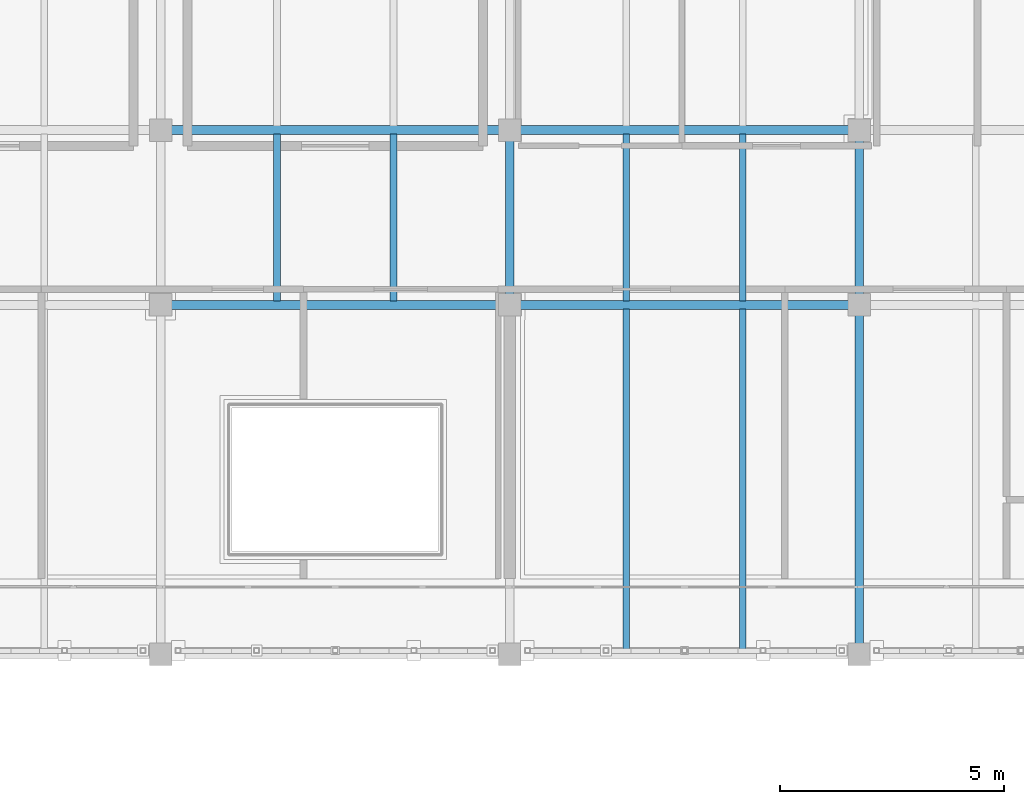
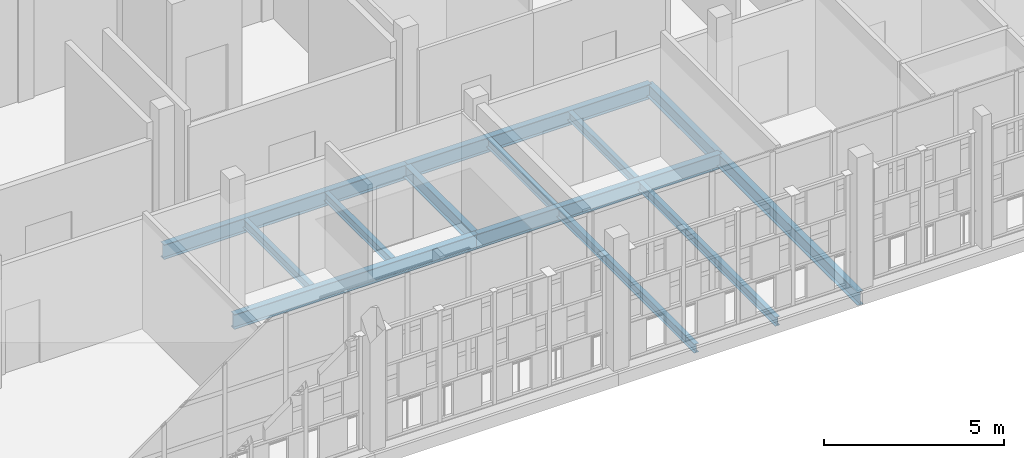
# One storey, part 36 of 89: 13 beams.
"""IFC4 building model written with IfcOpenShell, lengths in metres."""

from ifc_helpers import new_model, si_unit, direction, frame, origin, origin_2d, place, context, subcontext, project, spatial, i_section, extrude, material, material_profile, profile_set, type_object, element, save


model = new_model("IFC4")

# Units and contexts
model_context = context("Model", 3, precision=1e-05, world=origin(), true_north=direction((0.0, 1.0)))
body_context = subcontext(model_context, "Body", "Model", "MODEL_VIEW")
ifc_project = project(units=[si_unit("LENGTHUNIT", "METRE"), si_unit("AREAUNIT", "SQUARE_METRE"), si_unit("VOLUMEUNIT", "CUBIC_METRE"), si_unit("PLANEANGLEUNIT", "RADIAN"), si_unit("MASSUNIT", "GRAM", prefix="KILO")], contexts=[model_context])

# Site, building, storey
site_placement = place(None, origin())
site = spatial("IfcSite", under=ifc_project, at=site_placement, CompositionType="ELEMENT")
building_placement = place(site_placement, origin())
building = spatial("IfcBuilding", under=site, at=building_placement, Name="Celorna Specialist Clinic", CompositionType="ELEMENT")
storey_placement = place(building_placement, frame((0.0, 0.0, 14.10009765625)))
storey = spatial("IfcBuildingStorey", under=building, at=storey_placement, Name="L03", CompositionType="ELEMENT", Elevation=14.10009765625)

# Beams
ifc_material = material(Name="Steel S355", Category="steel")
ifc_material_profile_1 = material_profile(ifc_material, i_section(OverallWidth=0.199951171875, OverallDepth=0.5, WebThickness=0.01025390625, FlangeThickness=0.01611328125, at=origin_2d()), Name="IPE 500")
ifc_profile_set_1 = profile_set([ifc_material_profile_1], Name="Steel S355")
beam_type_1 = type_object("IfcBeamType", Name="BM-08", PredefinedType="BEAM", material=ifc_profile_set_1)
for number, where, z_axis, x_axis, name in (
    (1, (62.39990234375, 104.300048828125, -0.510009765625), (1.0, 0.0, 0.0), (0.0, 1.0, 0.0), "Primary girder BM-08 #1214"),
    (2, (70.199951171875, 104.300048828125, -0.510009765625), (1.0, 0.0, 0.0), (0.0, 1.0, 0.0), "Primary girder BM-08 #1215"),
    (3, (62.39990234375, 108.199951171875, -0.510009765625), (1.0, 0.0, 0.0), (0.0, 1.0, 0.0), "Primary girder BM-08 #1225"),
    (4, (70.199951171875, 108.199951171875, -0.510009765625), (1.0, 0.0, 0.0), (0.0, 1.0, 0.0), "Primary girder BM-08 #1226"),
):
    element("IfcBeam", number, at=place(storey_placement, frame(where, z_axis=z_axis, x_axis=x_axis)), inside=storey, type_object=beam_type_1, Name=name, PredefinedType="BEAM", context=body_context, shape_type="SweptSolid", body=[
        extrude(i_section(OverallWidth=0.199951171875, OverallDepth=0.5, WebThickness=0.01025390625, FlangeThickness=0.01611328125, at=origin_2d()), origin(), (0.0, 0.0, 1.0), 7.800048828125),
    ])
ifc_material_profile_2 = material_profile(ifc_material, i_section(OverallWidth=0.18994140625, OverallDepth=0.449951171875, WebThickness=0.009521484375, FlangeThickness=0.0146484375, at=origin_2d()), Name="IPE 450")
ifc_profile_set_2 = profile_set([ifc_material_profile_2], Name="Steel S355")
beam_type_2 = type_object("IfcBeamType", Name="BM-09", PredefinedType="BEAM", material=ifc_profile_set_2)
beam_1_placement = place(storey_placement, frame((70.199951171875, 104.300048828125, -0.485107421875), z_axis=(0.0, 1.0, 0.0), x_axis=(-1.0, 0.0, 0.0)))
element("IfcBeam", 5, at=beam_1_placement, inside=storey, type_object=beam_type_2, Name="Transverse girder BM-09 #1255", PredefinedType="BEAM", context=body_context, shape_type="SweptSolid", body=[
    extrude(i_section(OverallWidth=0.18994140625, OverallDepth=0.449951171875, WebThickness=0.009521484375, FlangeThickness=0.0146484375, at=origin_2d()), origin(), (0.0, 0.0, 1.0), 3.89990234375),
])
beam_2_placement = place(storey_placement, frame((78.0, 96.5, -0.485107421875), z_axis=(0.0, 1.0, 0.0), x_axis=(-1.0, 0.0, 0.0)))
element("IfcBeam", 6, at=beam_2_placement, inside=storey, type_object=beam_type_2, Name="Transverse girder BM-09 #1257", PredefinedType="BEAM", context=body_context, shape_type="SweptSolid", body=[
    extrude(i_section(OverallWidth=0.18994140625, OverallDepth=0.449951171875, WebThickness=0.009521484375, FlangeThickness=0.0146484375, at=origin_2d()), origin(), (0.0, 0.0, 1.0), 7.800048828125),
])
beam_3_placement = place(storey_placement, frame((78.0, 104.300048828125, -0.485107421875), z_axis=(0.0, 1.0, 0.0), x_axis=(-1.0, 0.0, 0.0)))
element("IfcBeam", 7, at=beam_3_placement, inside=storey, type_object=beam_type_2, Name="Transverse girder BM-09 #1258", PredefinedType="BEAM", context=body_context, shape_type="SweptSolid", body=[
    extrude(i_section(OverallWidth=0.18994140625, OverallDepth=0.449951171875, WebThickness=0.009521484375, FlangeThickness=0.0146484375, at=origin_2d()), origin(), (0.0, 0.0, 1.0), 3.89990234375),
])
ifc_material_profile_3 = material_profile(ifc_material, i_section(OverallWidth=0.14990234375, OverallDepth=0.300048828125, WebThickness=0.007080078125, FlangeThickness=0.0107421875, at=origin_2d()), Name="IPE 300")
ifc_profile_set_3 = profile_set([ifc_material_profile_3], Name="Steel S355")
beam_type_3 = type_object("IfcBeamType", Name="BM-13", PredefinedType="JOIST", material=ifc_profile_set_3)
for number, where, z_axis, x_axis, name in (
    (8, (65.0, 104.387939453125, -0.41015625), (0.0, 1.0, 0.0), (-1.0, 0.0, 0.0), "Secondary floor joist BM-13 #1291"),
    (9, (67.60009765625, 104.387939453125, -0.41015625), (0.0, 1.0, 0.0), (-1.0, 0.0, 0.0), "Secondary floor joist BM-13 #1292"),
):
    element("IfcBeam", number, at=place(storey_placement, frame(where, z_axis=z_axis, x_axis=x_axis)), inside=storey, type_object=beam_type_3, Name=name, PredefinedType="JOIST", context=body_context, shape_type="SweptSolid", body=[
        extrude(i_section(OverallWidth=0.14990234375, OverallDepth=0.300048828125, WebThickness=0.007080078125, FlangeThickness=0.0107421875, at=origin_2d()), origin(), (0.0, 0.0, 1.0), 3.72412109375),
    ])
for number, where, z_axis, x_axis, name in (
    (10, (72.800048828125, 96.587890625, -0.41015625), (0.0, 1.0, 0.0), (-1.0, 0.0, 0.0), "Secondary floor joist BM-13 #1295"),
    (11, (75.39990234375, 96.587890625, -0.41015625), (0.0, 1.0, 0.0), (-1.0, 0.0, 0.0), "Secondary floor joist BM-13 #1296"),
):
    element("IfcBeam", number, at=place(storey_placement, frame(where, z_axis=z_axis, x_axis=x_axis)), inside=storey, type_object=beam_type_3, Name=name, PredefinedType="JOIST", context=body_context, shape_type="SweptSolid", body=[
        extrude(i_section(OverallWidth=0.14990234375, OverallDepth=0.300048828125, WebThickness=0.007080078125, FlangeThickness=0.0107421875, at=origin_2d()), origin(), (0.0, 0.0, 1.0), 7.6240234375),
    ])
for number, where, z_axis, x_axis, name in (
    (12, (72.800048828125, 104.387939453125, -0.41015625), (0.0, 1.0, 0.0), (-1.0, 0.0, 0.0), "Secondary floor joist BM-13 #1297"),
    (13, (75.39990234375, 104.387939453125, -0.41015625), (0.0, 1.0, 0.0), (-1.0, 0.0, 0.0), "Secondary floor joist BM-13 #1298"),
):
    element("IfcBeam", number, at=place(storey_placement, frame(where, z_axis=z_axis, x_axis=x_axis)), inside=storey, type_object=beam_type_3, Name=name, PredefinedType="JOIST", context=body_context, shape_type="SweptSolid", body=[
        extrude(i_section(OverallWidth=0.14990234375, OverallDepth=0.300048828125, WebThickness=0.007080078125, FlangeThickness=0.0107421875, at=origin_2d()), origin(), (0.0, 0.0, 1.0), 3.72412109375),
    ])

save(model, "model.ifc")
